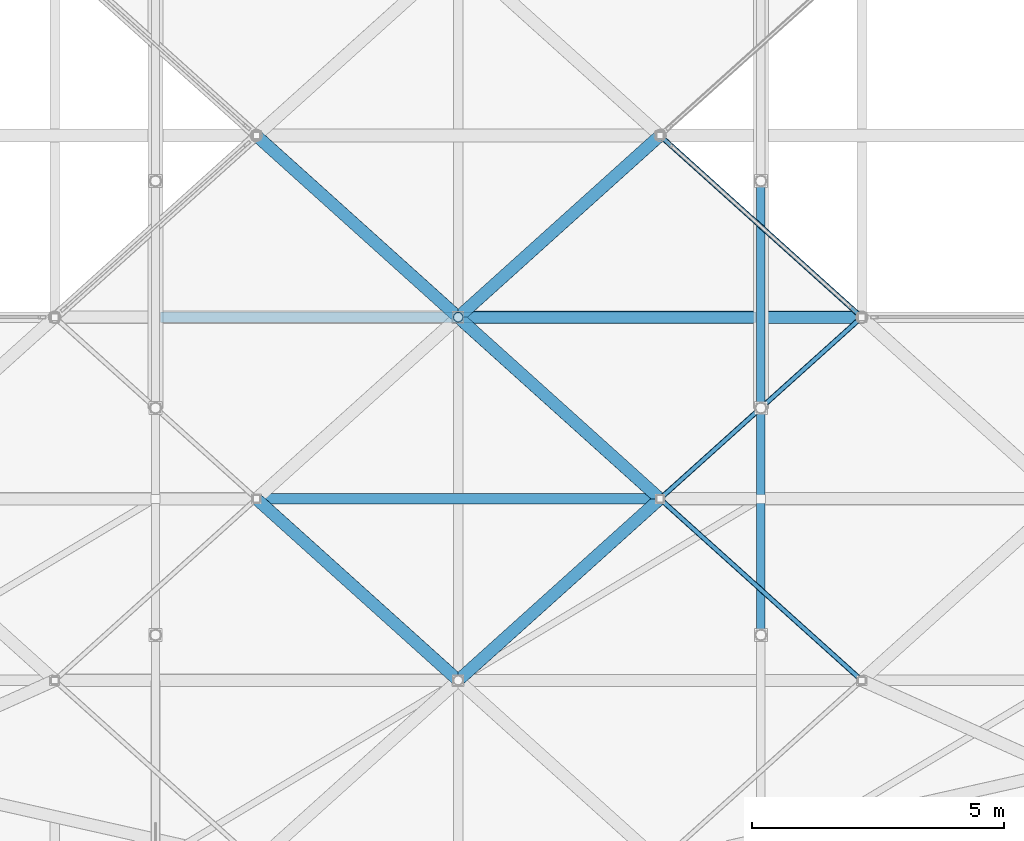
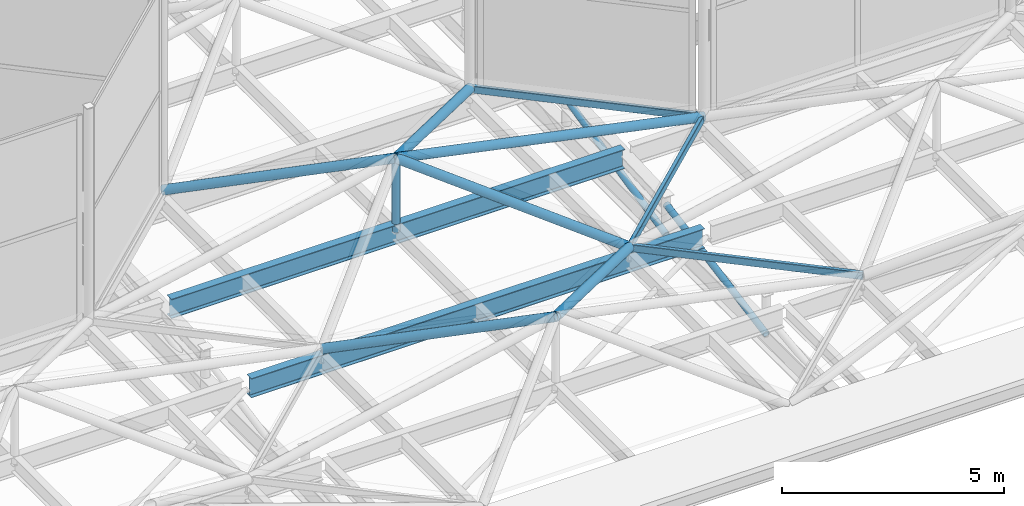
# One storey, part 20 of 239: 9 members, 5 beams.
"""IFC4 building model written with IfcOpenShell, lengths in metres."""

import ifcopenshell
import ifcopenshell.guid

model = None  # the IFC model being written
_history = None  # IfcOwnerHistory: only IFC2X3 demands one
_inside = {}  # id of a spatial element -> (the spatial element, [elements in it])
_under = {}  # id of a project, library or spatial element -> (it, [spatial elements below it])
_declared = {}  # id of a project -> (the project, [libraries it declares])
_typed = {}  # id of a type object -> (the type object, [elements of that type])
_made_of = {}  # id of a material, layer set ... -> (it, [elements and type objects made of it])


def new_model(schema):
    """Start an empty IFC model of exactly this schema.

    Asked for "IFC4X3", IfcOpenShell would pick the latest addendum, in which some entities
    have other attributes; the version numbers below select the first issue.
    IFC2X3 requires an IfcOwnerHistory on every rooted entity: one is made here for all.
    """
    global model, _history
    if schema == "IFC4X3":
        model = ifcopenshell.file(schema_version=(4, 3, 0, 0))
    else:
        model = ifcopenshell.file(schema=schema)
    _inside.clear()
    _under.clear()
    _declared.clear()
    _typed.clear()
    _made_of.clear()
    _history = None
    if model.schema == "IFC2X3":
        org = make("IfcOrganization", Name="unknown")
        user = make(
            "IfcPersonAndOrganization",
            ThePerson=make("IfcPerson", FamilyName="unknown"),
            TheOrganization=org,
        )
        app = make(
            "IfcApplication",
            ApplicationDeveloper=org,
            Version="unknown",
            ApplicationFullName="unknown",
            ApplicationIdentifier="unknown",
        )
        _history = make(
            "IfcOwnerHistory",
            OwningUser=user,
            OwningApplication=app,
            ChangeAction="ADDED",
            CreationDate=0,
        )
    return model


def make(cls, **values):
    """One entity of the class cls with the attributes given. An attribute that is None is left unset."""
    return model.create_entity(
        cls, **{name: value for name, value in values.items() if value is not None}
    )


def rooted(cls, **values):
    """An entity with a GlobalId (a new one), such as an element, a storey or a relation."""
    return make(cls, GlobalId=ifcopenshell.guid.new(), OwnerHistory=_history, **values)


def si_unit(unit_type, name, prefix=None):
    """IfcSIUnit, for example si_unit("LENGTHUNIT", "METRE", prefix="MILLI")."""
    return make("IfcSIUnit", UnitType=unit_type, Prefix=prefix, Name=name)


def assignment(units):
    """IfcUnitAssignment: the units of a project."""
    return None if units is None else make("IfcUnitAssignment", Units=units)


def point(xyz):
    """IfcCartesianPoint."""
    return None if xyz is None else make("IfcCartesianPoint", Coordinates=xyz)


def direction(xyz):
    """IfcDirection."""
    return None if xyz is None else make("IfcDirection", DirectionRatios=xyz)


def frame(location, z_axis=None, x_axis=None):
    """IfcAxis2Placement3D, a coordinate frame: its origin and axes. An axis left out is left unset."""
    return make(
        "IfcAxis2Placement3D",
        Location=point(location),
        Axis=direction(z_axis),
        RefDirection=direction(x_axis),
    )


def frame_2d(location, x_axis=None):
    """IfcAxis2Placement2D, a coordinate frame in the plane: its origin and x axis."""
    return make(
        "IfcAxis2Placement2D", Location=point(location), RefDirection=direction(x_axis)
    )


def origin():
    """The frame at (0, 0, 0) with its axes left unset."""
    return frame((0.0, 0.0, 0.0))


def origin_2d():
    """The frame at (0, 0) in the plane with its x axis left unset."""
    return frame_2d((0.0, 0.0))


def place(relative_to, where):
    """IfcLocalPlacement: puts the frame where relative to a parent placement (None: the world)."""
    return make(
        "IfcLocalPlacement", PlacementRelTo=relative_to, RelativePlacement=where
    )


def context(
    kind, dimensions, precision=None, world=None, true_north=None, identifier=None
):
    """IfcGeometricRepresentationContext, for example the 3D "Model" context."""
    return make(
        "IfcGeometricRepresentationContext",
        ContextIdentifier=identifier,
        ContextType=kind,
        CoordinateSpaceDimension=dimensions,
        Precision=precision,
        WorldCoordinateSystem=world,
        TrueNorth=true_north,
    )


def subcontext(parent, identifier, kind, view, scale=None):
    """IfcGeometricRepresentationSubContext, for example "Body" below "Model"."""
    return make(
        "IfcGeometricRepresentationSubContext",
        ContextIdentifier=identifier,
        ContextType=kind,
        ParentContext=parent,
        TargetScale=scale,
        TargetView=view,
    )


def project(units=None, contexts=None):
    """IfcProject with its units and contexts."""
    return rooted(
        "IfcProject",
        Name="project",
        RepresentationContexts=contexts,
        UnitsInContext=assignment(units),
    )


def spatial(cls, under=None, at=None, **own):
    """A site, building, storey or space (cls), placed at a placement, below another one or the project."""
    s = rooted(cls, ObjectPlacement=at, **own)
    if under is not None:
        _under.setdefault(under.id(), (under, []))[1].append(s)
    return s


def profile(cls, at=None, kind="AREA", **sizes):
    """A parametric profile (cls). Its sizes go by their IFC names, for example OverallWidth=200.0."""
    return make(cls, ProfileType=kind, Position=at, **sizes)


def hollow_rectangle(**sizes):
    """IfcRectangleHollowProfileDef."""
    return profile("IfcRectangleHollowProfileDef", **sizes)


def hollow_circle(**sizes):
    """IfcCircleHollowProfileDef."""
    return profile("IfcCircleHollowProfileDef", **sizes)


def i_section(**sizes):
    """IfcIShapeProfileDef."""
    return profile("IfcIShapeProfileDef", **sizes)


def extrude(swept, where, along, depth):
    """IfcExtrudedAreaSolid: the profile swept, set in the frame where, extruded along a direction by depth."""
    return make(
        "IfcExtrudedAreaSolid",
        SweptArea=swept,
        Position=where,
        ExtrudedDirection=direction(along),
        Depth=depth,
    )


def shape(context_of_items, identifier, shape_type, items):
    """IfcShapeRepresentation: the items that make up one representation, for example the "Body"."""
    return make(
        "IfcShapeRepresentation",
        ContextOfItems=context_of_items,
        RepresentationIdentifier=identifier,
        RepresentationType=shape_type,
        Items=items,
    )


def material(Name=None, Category=None):
    """IfcMaterial."""
    return make("IfcMaterial", Name=Name, Category=Category)


def material_profile(
    of_material, cross_section, Name=None, Category=None, Priority=None
):
    """IfcMaterialProfile: a cross section and its material."""
    return make(
        "IfcMaterialProfile",
        Name=Name,
        Material=of_material,
        Profile=cross_section,
        Priority=Priority,
        Category=Category,
    )


def profile_set(profiles, Name=None, composite=None):
    """IfcMaterialProfileSet."""
    return make(
        "IfcMaterialProfileSet",
        Name=Name,
        MaterialProfiles=profiles,
        CompositeProfile=composite,
    )


def made_of(thing, what):
    """Note that an element or type object is made of a material, layer set ...; save() writes the relation."""
    if what is not None:
        _made_of.setdefault(what.id(), (what, []))[1].append(thing)
    return thing


def type_object(cls, material=None, **own):
    """A type object (cls), such as IfcWallType, which elements share."""
    return made_of(rooted(cls, **own), material)


def element(
    cls,
    number,
    at=None,
    inside=None,
    cuts=None,
    type_object=None,
    material=None,
    context=None,
    identifier="Body",
    shape_type=None,
    held_by="IfcProductDefinitionShape",
    body=None,
    shapes=None,
    **own,
):
    """One element of the class cls, such as IfcWall. Its Tag is "e" and its number.

    at: its placement. inside: the storey or other place that contains it. cuts: it is an
    opening in that element (IfcRelVoidsElement). A single representation is given by context,
    identifier, shape_type and body (its items); several are given by shapes. held_by: the class
    of the entity that holds the representations. save() writes the other relations.
    """
    e = rooted(cls, Tag="e%d" % number, ObjectPlacement=at, **own)
    if body is not None:
        shapes = [shape(context, identifier, shape_type, body)]
    if shapes is not None:
        e.Representation = make(held_by, Representations=shapes)
    if inside is not None:
        _inside.setdefault(inside.id(), (inside, []))[1].append(e)
    if cuts is not None:
        rooted(
            "IfcRelVoidsElement", RelatingBuildingElement=cuts, RelatedOpeningElement=e
        )
    if type_object is not None:
        _typed.setdefault(type_object.id(), (type_object, []))[1].append(e)
    return made_of(e, material)


def aggregate(whole, parts):
    """IfcRelAggregates: a whole, such as a stair, and the parts it consists of."""
    return rooted("IfcRelAggregates", RelatingObject=whole, RelatedObjects=parts)


def save(model, path):
    """Write the relations noted so far, then the file.

    IfcRelAggregates (storeys below a building ...), IfcRelContainedInSpatialStructure (elements
    in a storey), IfcRelDefinesByType, IfcRelAssociatesMaterial and IfcRelDeclares: one each for
    every whole, place, type object, material and project.
    """
    for whole, parts in _under.values():
        aggregate(whole, parts)
    for where, things in _inside.values():
        rooted(
            "IfcRelContainedInSpatialStructure",
            RelatedElements=things,
            RelatingStructure=where,
        )
    for kind, things in _typed.values():
        rooted("IfcRelDefinesByType", RelatedObjects=things, RelatingType=kind)
    for what, things in _made_of.values():
        rooted("IfcRelAssociatesMaterial", RelatedObjects=things, RelatingMaterial=what)
    for by, libraries in _declared.values():
        rooted("IfcRelDeclares", RelatingContext=by, RelatedDefinitions=libraries)
    model.write(path)


model = new_model("IFC4")

# Units and contexts
model_context = context("Model", 3, precision=1e-05, world=origin(), true_north=direction((0.0, 1.0)))
body_context = subcontext(model_context, "Body", "Model", "MODEL_VIEW")
ifc_project = project(units=[si_unit("LENGTHUNIT", "METRE"), si_unit("AREAUNIT", "SQUARE_METRE"), si_unit("VOLUMEUNIT", "CUBIC_METRE"), si_unit("PLANEANGLEUNIT", "RADIAN"), si_unit("MASSUNIT", "GRAM", prefix="KILO")], contexts=[model_context])

# Site, building, storey
site_placement = place(None, origin())
site = spatial("IfcSite", under=ifc_project, at=site_placement, CompositionType="ELEMENT")
building_placement = place(site_placement, origin())
building = spatial("IfcBuilding", under=site, at=building_placement, Name="Dunvalen Ferry Terminal", CompositionType="ELEMENT")
storey_placement = place(building_placement, frame((0.0, 0.0, 9.840087890625)))
storey = spatial("IfcBuildingStorey", under=building, at=storey_placement, Name="L02", CompositionType="ELEMENT", Elevation=9.840087890625)

# Beams
ifc_material = material(Name="Steel S355", Category="steel")
ifc_material_profile_1 = material_profile(ifc_material, hollow_rectangle(XDim=0.10009765625, YDim=0.199951171875, WallThickness=0.008056640625, InnerFilletRadius=0.008056640625, OuterFilletRadius=0.01611328125, at=origin_2d()), Name="Steel S355")
ifc_profile_set_1 = profile_set([ifc_material_profile_1], Name="Steel S355")
beam_type_1 = type_object("IfcBeamType", Name="STR-BM-RHS200", PredefinedType="BEAM", material=ifc_profile_set_1)
beam_1_placement = place(storey_placement, frame((50.0, 54.0, 1.099853515625), z_axis=(-0.743285123004, 0.668974757313, 0.0), x_axis=(-0.668974757313, -0.743285123004, 0.0)))
element("IfcBeam", 1, at=beam_1_placement, inside=storey, type_object=beam_type_1, Name="HEX-18 Hexagonal Rim Beam 4", PredefinedType="BEAM", context=body_context, shape_type="SweptSolid", body=[
    extrude(hollow_rectangle(XDim=0.10009765625, YDim=0.199951171875, WallThickness=0.008056640625, InnerFilletRadius=0.008056640625, OuterFilletRadius=0.01611328125, at=origin_2d()), origin(), (0.0, 0.0, 1.0), 5.381591796875),
])
beam_2_placement = place(storey_placement, frame((46.0, 57.60009765625, 1.099853515625), z_axis=(0.74330768127, 0.668949692402, 0.0), x_axis=(-0.668949692402, 0.74330768127, 0.0)))
element("IfcBeam", 2, at=beam_2_placement, inside=storey, type_object=beam_type_1, Name="HEX-19 Hexagonal Rim Beam 3", PredefinedType="BEAM", context=body_context, shape_type="SweptSolid", body=[
    extrude(hollow_rectangle(XDim=0.10009765625, YDim=0.199951171875, WallThickness=0.008056640625, InnerFilletRadius=0.008056640625, OuterFilletRadius=0.01611328125, at=origin_2d()), origin(), (0.0, 0.0, 1.0), 5.38134765625),
])
beam_3_placement = place(storey_placement, frame((50.0, 61.199951171875, 1.099853515625), z_axis=(-0.743285123004, 0.668974757313, 0.0), x_axis=(-0.668974757313, -0.743285123004, 0.0)))
element("IfcBeam", 3, at=beam_3_placement, inside=storey, type_object=beam_type_1, Name="HEX-19 Hexagonal Rim Beam 4", PredefinedType="BEAM", context=body_context, shape_type="SweptSolid", body=[
    extrude(hollow_rectangle(XDim=0.10009765625, YDim=0.199951171875, WallThickness=0.008056640625, InnerFilletRadius=0.008056640625, OuterFilletRadius=0.01611328125, at=origin_2d()), origin(), (0.0, 0.0, 1.0), 5.381591796875),
])
ifc_material_profile_2 = material_profile(ifc_material, i_section(OverallWidth=0.209228515625, OverallDepth=0.533203125, WebThickness=0.010009765625, FlangeThickness=0.015625, FilletRadius=0.0126953125, at=origin_2d()), Name="Steel S355")
ifc_profile_set_2 = profile_set([ifc_material_profile_2], Name="Steel S355")
beam_type_2 = type_object("IfcBeamType", Name="STR-BM-UKB533", PredefinedType="BEAM", material=ifc_profile_set_2)
for number, where, z_axis, x_axis, name in (
    (4, (36.10009765625, 57.60009765625, 0.7333984375), (1.0, 0.0, 0.0), (0.0, 1.0, 0.0), "Departure Hall Spine Girder B3.03"),
    (5, (36.10009765625, 61.199951171875, 0.7333984375), (1.0, 0.0, 0.0), (0.0, 1.0, 0.0), "Departure Hall Spine Girder B3.04"),
):
    element("IfcBeam", number, at=place(storey_placement, frame(where, z_axis=z_axis, x_axis=x_axis)), inside=storey, type_object=beam_type_2, Name=name, PredefinedType="BEAM", context=body_context, shape_type="SweptSolid", body=[
        extrude(i_section(OverallWidth=0.209228515625, OverallDepth=0.533203125, WebThickness=0.010009765625, FlangeThickness=0.015625, FilletRadius=0.0126953125, at=origin_2d()), origin(), (0.0, 0.0, 1.0), 11.7998046875),
    ])

# Members
ifc_material_profile_3 = material_profile(ifc_material, hollow_circle(Radius=0.084228515625, WallThickness=0.008056640625, at=origin_2d()), Name="Steel S355")
ifc_profile_set_3 = profile_set([ifc_material_profile_3], Name="Steel S355")
member_type_1 = type_object("IfcMemberType", Name="STR-MB-CHS168", PredefinedType="BRACE", material=ifc_profile_set_3)
member_1_placement = place(storey_placement, frame((48.0, 54.89990234375, -0.360107421875), z_axis=(0.0, 0.983218272848, 0.18243307797), x_axis=(-1.0, 0.0, 0.0)))
element("IfcMember", 6, at=member_1_placement, inside=storey, type_object=member_type_1, Name="Departure Hall Arch Web Diagonal 04.2", PredefinedType="BRACE", context=body_context, shape_type="SweptSolid", body=[
    extrude(hollow_circle(Radius=0.084228515625, WallThickness=0.008056640625, at=origin_2d()), origin(), (0.0, 0.0, 1.0), 4.576904296875),
])
member_2_placement = place(storey_placement, frame((48.0, 59.39990234375, -0.360107421875), z_axis=(0.0, 0.975316524259, 0.220811407104), x_axis=(-1.0, 0.0, 0.0)))
element("IfcMember", 7, at=member_2_placement, inside=storey, type_object=member_type_1, Name="Departure Hall Arch Web Diagonal 04.3", PredefinedType="BRACE", context=body_context, shape_type="SweptSolid", body=[
    extrude(hollow_circle(Radius=0.084228515625, WallThickness=0.008056640625, at=origin_2d()), origin(), (0.0, 0.0, 1.0), 4.61376953125),
])
ifc_material_profile_4 = material_profile(ifc_material, hollow_circle(Radius=0.096923828125, WallThickness=0.008056640625, at=origin_2d()), Name="Steel S355")
ifc_profile_set_4 = profile_set([ifc_material_profile_4], Name="Steel S355")
member_type_2 = type_object("IfcMemberType", Name="STR-MB-CHS193", PredefinedType="STRUT", material=ifc_profile_set_4)
member_3_placement = place(storey_placement, frame((42.0, 61.199951171875, 0.77001953125), z_axis=(0.0, 0.0, 1.0), x_axis=(1.0, 0.0, 0.0)))
element("IfcMember", 8, at=member_3_placement, inside=storey, type_object=member_type_2, Name="HEX-19 Pyramid Apex Strut", PredefinedType="STRUT", context=body_context, shape_type="SweptSolid", body=[
    extrude(hollow_circle(Radius=0.096923828125, WallThickness=0.008056640625, at=origin_2d()), origin(), (0.0, 0.0, 1.0), 1.994873046875),
])
ifc_material_profile_5 = material_profile(ifc_material, hollow_circle(Radius=0.122314453125, WallThickness=0.010009765625, at=origin_2d()), Name="Steel S355")
ifc_profile_set_5 = profile_set([ifc_material_profile_5], Name="Steel S355")
member_type_3 = type_object("IfcMemberType", Name="STR-MB-CHS244", PredefinedType="STRUT", material=ifc_profile_set_5)
for number, where, z_axis, x_axis, name in (
    (9, (46.0, 57.60009765625, 1.099853515625), (-0.710074680578, -0.639084548328, 0.295575520114), (0.668974757313, -0.743285123004, 0.0), "HEX-18 Pyramid Hip Rafter 5"),
    (10, (38.0, 57.60009765625, 1.099853515625), (0.710074680578, -0.639084548328, 0.295575520114), (0.668974757313, 0.743285123004, 0.0), "HEX-18 Pyramid Hip Rafter 6"),
):
    element("IfcMember", number, at=place(storey_placement, frame(where, z_axis=z_axis, x_axis=x_axis)), inside=storey, type_object=member_type_3, Name=name, PredefinedType="STRUT", context=body_context, shape_type="SweptSolid", body=[
        extrude(hollow_circle(Radius=0.122314453125, WallThickness=0.010009765625, at=origin_2d()), origin(), (0.0, 0.0, 1.0), 5.63330078125),
    ])
member_4_placement = place(storey_placement, frame((46.0, 57.60009765625, 1.099853515625), z_axis=(-0.710094348105, 0.639058908863, 0.295583706914), x_axis=(-0.668949692402, -0.74330768127, 0.0)))
element("IfcMember", 11, at=member_4_placement, inside=storey, type_object=member_type_3, Name="HEX-19 Pyramid Hip Rafter 3", PredefinedType="STRUT", context=body_context, shape_type="SweptSolid", body=[
    extrude(hollow_circle(Radius=0.122314453125, WallThickness=0.010009765625, at=origin_2d()), origin(), (0.0, 0.0, 1.0), 5.633056640625),
])
member_5_placement = place(storey_placement, frame((50.0, 61.199951171875, 1.099853515625), z_axis=(-0.979020171275, 0.0, 0.203763353518), x_axis=(0.0, -1.0, 0.0)))
element("IfcMember", 12, at=member_5_placement, inside=storey, type_object=member_type_3, Name="HEX-19 Pyramid Hip Rafter 4", PredefinedType="STRUT", context=body_context, shape_type="SweptSolid", body=[
    extrude(hollow_circle(Radius=0.122314453125, WallThickness=0.010009765625, at=origin_2d()), origin(), (0.0, 0.0, 1.0), 8.17138671875),
])
for number, where, z_axis, x_axis, name in (
    (13, (46.0, 64.800048828125, 1.099853515625), (-0.710074680578, -0.639084548328, 0.295575520114), (0.668974757313, -0.743285123004, 0.0), "HEX-19 Pyramid Hip Rafter 5"),
    (14, (38.0, 64.800048828125, 1.099853515625), (0.710074680578, -0.639084548328, 0.295575520114), (0.668974757313, 0.743285123004, 0.0), "HEX-19 Pyramid Hip Rafter 6"),
):
    element("IfcMember", number, at=place(storey_placement, frame(where, z_axis=z_axis, x_axis=x_axis)), inside=storey, type_object=member_type_3, Name=name, PredefinedType="STRUT", context=body_context, shape_type="SweptSolid", body=[
        extrude(hollow_circle(Radius=0.122314453125, WallThickness=0.010009765625, at=origin_2d()), origin(), (0.0, 0.0, 1.0), 5.63330078125),
    ])

save(model, "model.ifc")
